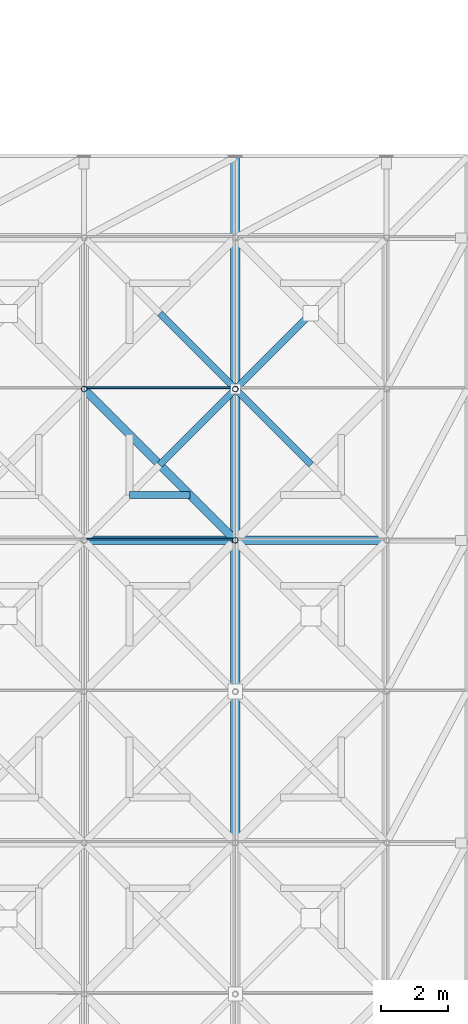
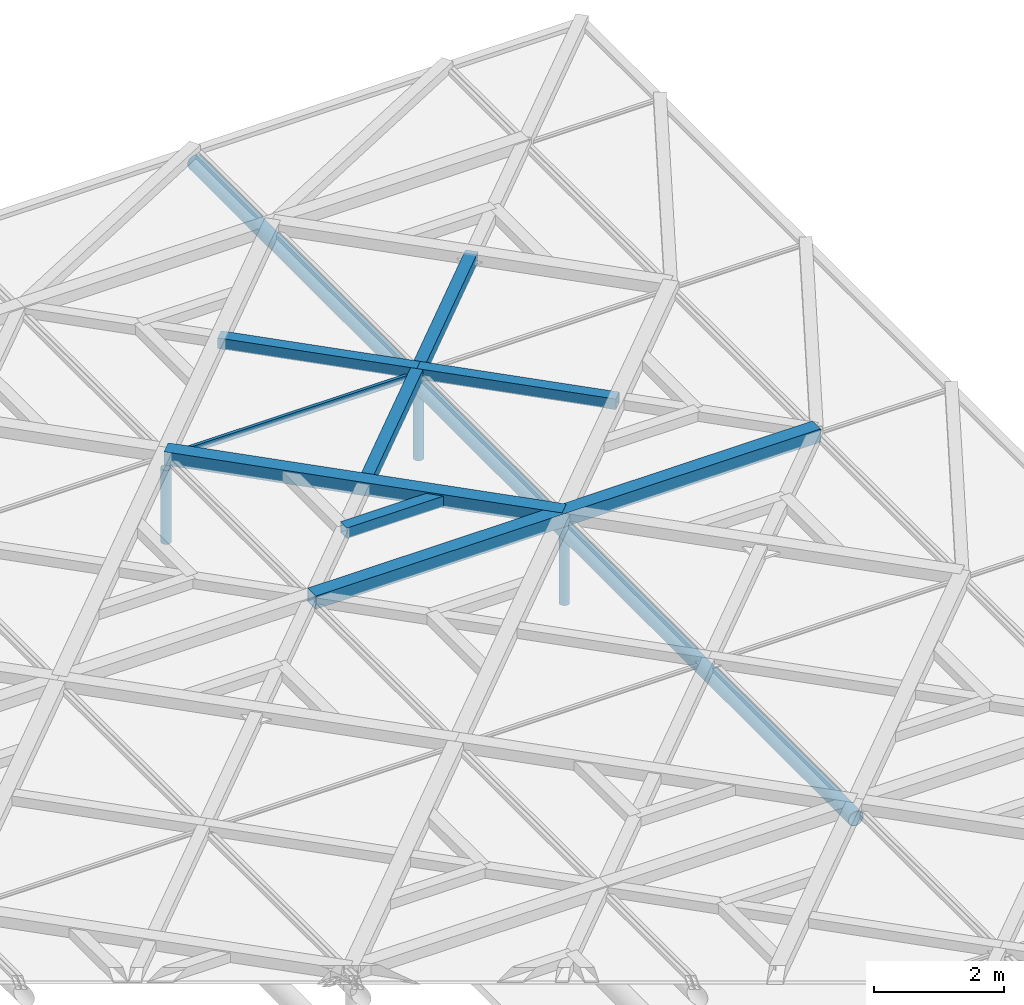
# One storey, part 59 of 80: 12 members, 1 element without a shape of its own.
"""IFC4 building model written with IfcOpenShell, lengths in metres."""

from ifc_helpers import new_model, si_unit, direction, frame, origin, origin_2d, place, context, subcontext, project, spatial, rectangle, hollow_rectangle, hollow_circle, extrude, material, material_profile, profile_set, type_object, element, aggregate, save


model = new_model("IFC4")

# Units and contexts
model_context = context("Model", 3, precision=1e-05, world=origin(), true_north=direction((0.0, 1.0)))
body_context = subcontext(model_context, "Body", "Model", "MODEL_VIEW")
ifc_project = project(units=[si_unit("LENGTHUNIT", "METRE"), si_unit("AREAUNIT", "SQUARE_METRE"), si_unit("VOLUMEUNIT", "CUBIC_METRE"), si_unit("PLANEANGLEUNIT", "RADIAN"), si_unit("MASSUNIT", "GRAM", prefix="KILO"), si_unit("THERMODYNAMICTEMPERATUREUNIT", "KELVIN"), si_unit("POWERUNIT", "WATT")], contexts=[model_context])

# Site, building, storey
site_placement = place(None, origin())
site = spatial("IfcSite", under=ifc_project, at=site_placement, CompositionType="ELEMENT")
building_placement = place(site_placement, origin())
building = spatial("IfcBuilding", under=site, at=building_placement, Name="Tallowbark Science Centre", CompositionType="ELEMENT")
storey_placement = place(building_placement, frame((0.0, 0.0, 25.949951171875)))
storey = spatial("IfcBuildingStorey", under=building, at=storey_placement, Name="ROOF", CompositionType="ELEMENT", Elevation=25.949951171875)

# Curtain wall, members
ifc_material_1 = material(Name="Blue-Tinted Laminated Low-E Skylight Glass", Category="glass")
curtain_wall_type = type_object("IfcCurtainWallType", Name="CW-SKY-ROOF", PredefinedType="NOTDEFINED", material=ifc_material_1)
curtain_wall_placement = place(storey_placement, origin())
curtain_wall = element("IfcCurtainWall", 1, at=curtain_wall_placement, inside=storey, type_object=curtain_wall_type, Name="Exhibition Star-Screen Skylight Bay 10", PredefinedType="NOTDEFINED")
ifc_material_2 = material(Name="Anodised Architectural Aluminium Alloy 6063-T6", Category="aluminium")
ifc_material_profile_1 = material_profile(ifc_material_2, rectangle(XDim=0.054931640625, YDim=0.1201171875, at=origin_2d()), Name="ALU55x120")
ifc_profile_set_1 = profile_set([ifc_material_profile_1], Name="Anodised Architectural Aluminium Alloy 6063-T6")
member_type_1 = type_object("IfcMemberType", Name="CWM-SKY-TRN", PredefinedType="USERDEFINED", material=ifc_profile_set_1)
member_1_placement = place(storey_placement, frame((94.580078125, 31.5400390625, 0.35205078125), z_axis=(1.0, 0.0, 0.0), x_axis=(0.0, 1.0, 0.0)))
member_1 = element("IfcMember", 2, at=member_1_placement, type_object=member_type_1, Name="Skylight Bay 10 Transom 8", ObjectType="TRANSOM", PredefinedType="USERDEFINED", context=body_context, shape_type="SweptSolid", body=[
    extrude(rectangle(XDim=0.054931640625, YDim=0.1201171875, at=origin_2d()), origin(), (0.0, 0.0, 1.0), 4.33984375),
])
member_2_placement = place(storey_placement, frame((94.580078125, 36.0400390625, 0.35205078125), z_axis=(1.0, 0.0, 0.0), x_axis=(0.0, 1.0, 0.0)))
member_2 = element("IfcMember", 3, at=member_2_placement, type_object=member_type_1, Name="Skylight Bay 10 Transom 9", ObjectType="TRANSOM", PredefinedType="USERDEFINED", context=body_context, shape_type="SweptSolid", body=[
    extrude(rectangle(XDim=0.054931640625, YDim=0.1201171875, at=origin_2d()), origin(), (0.0, 0.0, 1.0), 4.33984375),
])
aggregate(curtain_wall, [member_1, member_2])

# Members
ifc_material_3 = material(Name="White Architectural Painted Steel Grade C350L0 (350 MPa)", Category="steel")
ifc_material_profile_2 = material_profile(ifc_material_3, hollow_rectangle(XDim=0.25, YDim=0.25, WallThickness=0.009033203125, at=origin_2d()), Name="250x250x9.0SHS")
ifc_profile_set_2 = profile_set([ifc_material_profile_2], Name="White Architectural Painted Steel Grade C350L0 (350 MPa)")
member_type_2 = type_object("IfcMemberType", Name="SCR-CHD200", PredefinedType="CHORD", material=ifc_profile_set_2)
member_3_placement = place(storey_placement, frame((94.5, 31.5, 0.449951171875), z_axis=(1.0, 0.0, 0.0), x_axis=(0.0, 1.0, 0.0)))
element("IfcMember", 4, at=member_3_placement, inside=storey, type_object=member_type_2, Name="Star Screen Frame Chord TOP-72", PredefinedType="CHORD", context=body_context, shape_type="SweptSolid", body=[
    extrude(hollow_rectangle(XDim=0.25, YDim=0.25, WallThickness=0.009033203125, at=origin_2d()), origin(), (0.0, 0.0, 1.0), 9.0),
])
member_4_placement = place(storey_placement, frame((94.5, 36.0, 0.449951171875), z_axis=(0.707106781187, -0.707106781187, 0.0), x_axis=(0.707106781187, 0.707106781187, 0.0)))
element("IfcMember", 5, at=member_4_placement, inside=storey, type_object=member_type_2, Name="Star Screen Octagram Diamond Chord TOP-73-4", PredefinedType="CHORD", context=body_context, shape_type="SweptSolid", body=[
    extrude(hollow_rectangle(XDim=0.25, YDim=0.25, WallThickness=0.009033203125, at=origin_2d()), origin(), (0.0, 0.0, 1.0), 6.364013671875),
])
ifc_material_profile_3 = material_profile(ifc_material_3, hollow_rectangle(XDim=0.199951171875, YDim=0.199951171875, WallThickness=0.009033203125, at=origin_2d()), Name="200x200x9.0SHS")
ifc_profile_set_3 = profile_set([ifc_material_profile_3], Name="White Architectural Painted Steel Grade C350L0 (350 MPa)")
member_type_3 = type_object("IfcMemberType", Name="SCR-STAR139", PredefinedType="BRACE", material=ifc_profile_set_3)
member_5_placement = place(storey_placement, frame((96.75, 33.75, 0.449951171875), z_axis=(0.707106781187, 0.707106781187, 0.0), x_axis=(-0.707106781187, 0.707106781187, 0.0)))
element("IfcMember", 6, at=member_5_placement, inside=storey, type_object=member_type_3, Name="Star Screen Continuous X-Diagonal D1M TOP-73", PredefinedType="BRACE", context=body_context, shape_type="SweptSolid", body=[
    extrude(hollow_rectangle(XDim=0.199951171875, YDim=0.199951171875, WallThickness=0.009033203125, at=origin_2d()), origin(), (0.0, 0.0, 1.0), 6.364013671875),
])
for number, where, z_axis, x_axis, name in (
    (7, (96.75, 38.25, 0.449951171875), (0.707106781187, -0.707106781187, 0.0), (0.707106781187, 0.707106781187, 0.0), "Star Screen Split X-Diagonal D2B TOP-73"),
    (8, (99.0, 36.0, 0.449951171875), (0.707106781187, -0.707106781187, 0.0), (0.707106781187, 0.707106781187, 0.0), "Star Screen Split X-Diagonal D2C TOP-73"),
):
    element("IfcMember", number, at=place(storey_placement, frame(where, z_axis=z_axis, x_axis=x_axis)), inside=storey, type_object=member_type_3, Name=name, PredefinedType="BRACE", context=body_context, shape_type="SweptSolid", body=[
        extrude(hollow_rectangle(XDim=0.199951171875, YDim=0.199951171875, WallThickness=0.009033203125, at=origin_2d()), origin(), (0.0, 0.0, 1.0), 3.181884765625),
    ])
ifc_material_profile_4 = material_profile(ifc_material_3, hollow_rectangle(XDim=0.199951171875, YDim=0.199951171875, WallThickness=0.009033203125, at=origin_2d()), Name="200x200x9.0SHS")
ifc_profile_set_4 = profile_set([ifc_material_profile_4], Name="White Architectural Painted Steel Grade C350L0 (350 MPa)")
member_type_4 = type_object("IfcMemberType", Name="SCR-SUB150", PredefinedType="BRACE", material=ifc_profile_set_4)
member_6_placement = place(storey_placement, frame((95.85009765625, 32.85009765625, 0.449951171875), z_axis=(1.0, 0.0, 0.0), x_axis=(0.0, 1.0, 0.0)))
element("IfcMember", 9, at=member_6_placement, inside=storey, type_object=member_type_4, Name="Star Screen Octagram Point Ray TOP-73-1", PredefinedType="BRACE", context=body_context, shape_type="SweptSolid", body=[
    extrude(hollow_rectangle(XDim=0.199951171875, YDim=0.199951171875, WallThickness=0.009033203125, at=origin_2d()), origin(), (0.0, 0.0, 1.0), 1.7998046875),
])
ifc_material_profile_5 = material_profile(ifc_material_3, hollow_circle(Radius=0.136474609375, WallThickness=0.00927734375, at=origin_2d()), Name="273.1x9.3CHS")
ifc_profile_set_5 = profile_set([ifc_material_profile_5], Name="White Architectural Painted Steel Grade C350L0 (350 MPa)")
member_type_5 = type_object("IfcMemberType", Name="TR-CHD273", PredefinedType="CHORD", material=ifc_profile_set_5)
member_7_placement = place(storey_placement, frame((99.0, 22.5, 0.18994140625), z_axis=(0.0, 1.0, 0.0), x_axis=(-1.0, 0.0, 0.0)))
element("IfcMember", 10, at=member_7_placement, inside=storey, type_object=member_type_5, Name="Exhibition Roof Truss North Top Chord 10", PredefinedType="CHORD", context=body_context, shape_type="SweptSolid", body=[
    extrude(hollow_circle(Radius=0.136474609375, WallThickness=0.00927734375, at=origin_2d()), origin(), (0.0, 0.0, 1.0), 20.39990234375),
])
ifc_material_profile_6 = material_profile(ifc_material_3, hollow_circle(Radius=0.084228515625, WallThickness=0.007080078125, at=origin_2d()), Name="168.3x7.1CHS")
ifc_profile_set_6 = profile_set([ifc_material_profile_6], Name="White Architectural Painted Steel Grade C350L0 (350 MPa)")
member_type_6 = type_object("IfcMemberType", Name="TR-WEB168", PredefinedType="BRACE", material=ifc_profile_set_6)
for number, where, z_axis, x_axis, name in (
    (11, (94.5, 36.0, -1.199951171875), (0.0, 0.0, 1.0), (1.0, 0.0, 0.0), "Exhibition Roof Truss Web 9-36"),
    (12, (99.0, 31.5, -1.199951171875), (0.0, 0.0, 1.0), (1.0, 0.0, 0.0), "Exhibition Roof Truss Web 10-31.5"),
    (13, (99.0, 36.0, -1.199951171875), (0.0, 0.0, 1.0), (1.0, 0.0, 0.0), "Exhibition Roof Truss Web 10-36"),
):
    element("IfcMember", number, at=place(storey_placement, frame(where, z_axis=z_axis, x_axis=x_axis)), inside=storey, type_object=member_type_6, Name=name, PredefinedType="BRACE", context=body_context, shape_type="SweptSolid", body=[
        extrude(hollow_circle(Radius=0.084228515625, WallThickness=0.007080078125, at=origin_2d()), origin(), (0.0, 0.0, 1.0), 1.389892578125),
    ])

save(model, "model.ifc")
